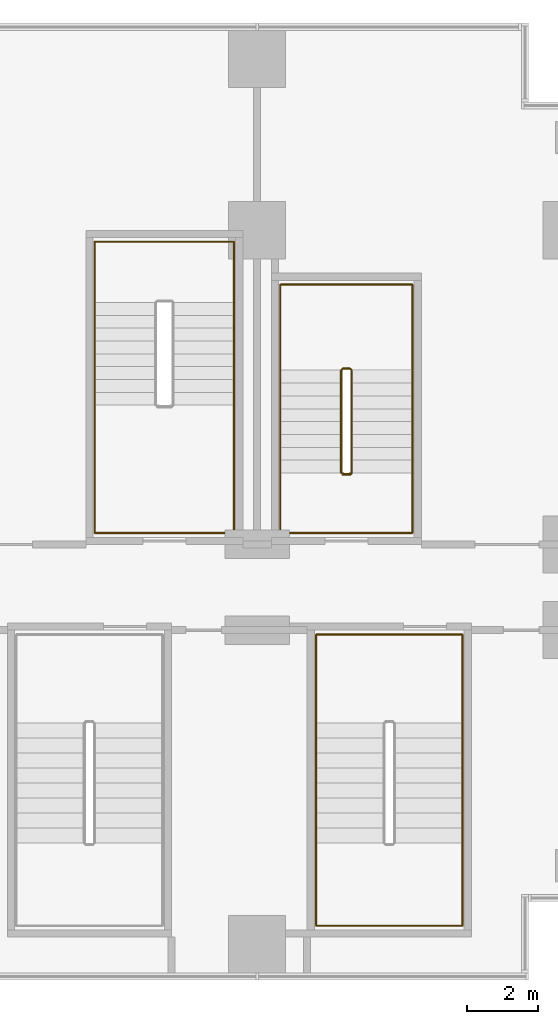
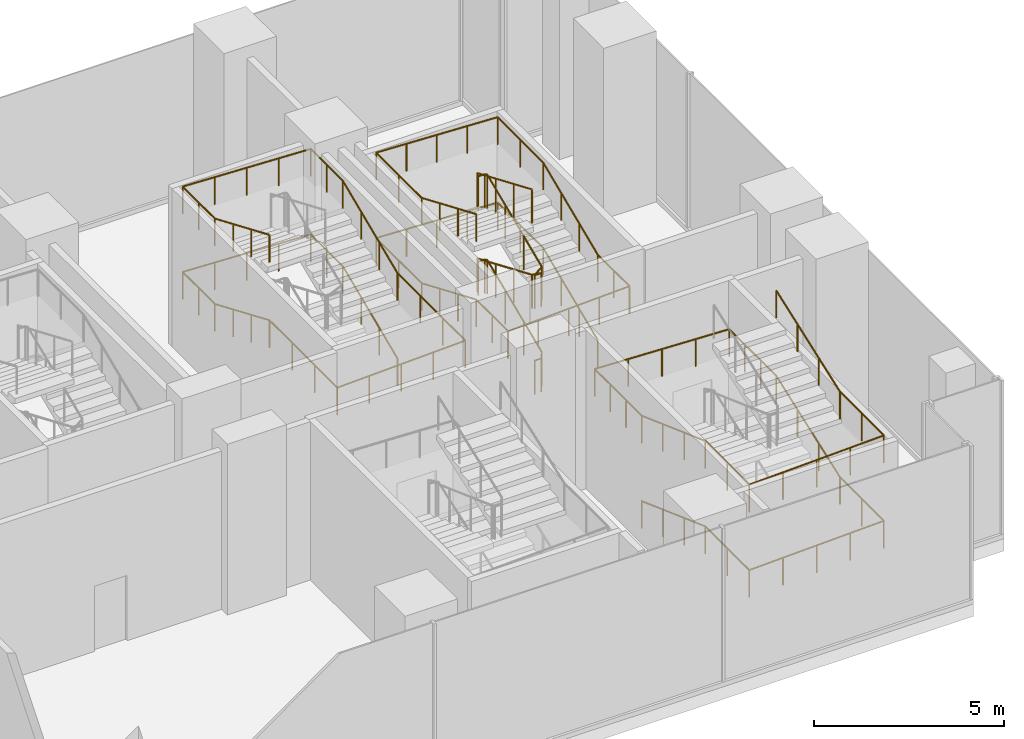
# One storey, part 29 of 30: 4 railings.
"""IFC4 building model written with IfcOpenShell, lengths in metres."""

from ifc_helpers import new_model, si_unit, direction, frame, origin, origin_2d, place, context, subcontext, project, spatial, circle, extrude, material, type_object, element, save


model = new_model("IFC4")

# Units and contexts
model_context = context("Model", 3, precision=1e-05, world=origin(), true_north=direction((0.0, 1.0)))
body_context = subcontext(model_context, "Body", "Model", "MODEL_VIEW")
ifc_project = project(units=[si_unit("LENGTHUNIT", "METRE"), si_unit("AREAUNIT", "SQUARE_METRE"), si_unit("VOLUMEUNIT", "CUBIC_METRE"), si_unit("PLANEANGLEUNIT", "RADIAN"), si_unit("MASSUNIT", "GRAM", prefix="KILO")], contexts=[model_context])

# Site, building, storey
site_placement = place(None, origin())
site = spatial("IfcSite", under=ifc_project, at=site_placement, CompositionType="ELEMENT")
building_placement = place(site_placement, origin())
building = spatial("IfcBuilding", under=site, at=building_placement, Name="Kemantara Hotel Tower", CompositionType="ELEMENT")
storey_placement = place(building_placement, frame((0.0, 0.0, 23.5)))
storey = spatial("IfcBuildingStorey", under=building, at=storey_placement, Name="L04", CompositionType="ELEMENT", Elevation=23.5)

# Railings
ifc_material = material(Name="Stainless steel balustrade", Category="steel")
railing_type_1 = type_object("IfcRailingType", Name="Stair guard 1100 mm", PredefinedType="GUARDRAIL", material=ifc_material)
railing_1_placement = place(storey_placement, frame((73.75, 14.199951171875, 5.5)))
element("IfcRailing", 1, at=railing_1_placement, inside=storey, type_object=railing_type_1, Name="L04 ST5 stair guard 1", PredefinedType="GUARDRAIL", context=body_context, shape_type="SweptSolid", body=[
    extrude(circle(Radius=0.02392578125, at=origin_2d()), frame((0.0, 0.0, 1.076171875), z_axis=(0.0, 0.920547772064, -0.390630003133), x_axis=(-1.0, 0.0, 0.0)), (0.0, 0.0, 1.0), 3.128662109375),
    extrude(circle(Radius=0.02392578125, at=origin_2d()), frame((0.0, 2.880126953125, -0.14599609375), z_axis=(0.297283521722, 0.295833358201, -0.907802363892), x_axis=(-0.705375805398, 0.708833529934, 0.0)), (0.0, 0.0, 1.0), 0.16845703125),
    extrude(circle(Radius=0.02392578125, at=origin_2d()), frame((0.050048828125, 2.929931640625, -0.298828125), z_axis=(1.0, 0.0, 0.0), x_axis=(0.0, 1.0, 0.0)), (0.0, 0.0, 1.0), 0.199951171875),
    extrude(circle(Radius=0.02392578125, at=origin_2d()), frame((0.25, 2.929931640625, -0.298828125), z_axis=(0.708833529934, -0.705375805398, 0.0), x_axis=(0.705375805398, 0.708833529934, 0.0)), (0.0, 0.0, 1.0), 0.070556640625),
    extrude(circle(Radius=0.02392578125, at=origin_2d()), frame((0.300048828125, 2.880126953125, -0.298828125), z_axis=(0.0, -0.920547772064, -0.390630003133), x_axis=(1.0, 0.0, 0.0)), (0.0, 0.0, 1.0), 3.128662109375),
    extrude(circle(Radius=0.02392578125, at=origin_2d()), frame((0.300048828125, 0.0, -1.52099609375), z_axis=(-0.841019323802, -0.168368126347, -0.514138766309), x_axis=(0.196300278283, -0.98054382908, 0.0)), (0.0, 0.0, 1.0), 0.29736328125),
    extrude(circle(Radius=0.02392578125, at=origin_2d()), frame((0.050048828125, -0.050048828125, -1.673828125), z_axis=(1.0, 0.0, 0.0), x_axis=(0.0, 1.0, 0.0)), (0.0, 0.0, 1.0), 0.199951171875),
    extrude(circle(Radius=0.02392578125, at=origin_2d()), frame((0.25, -0.050048828125, -1.673828125), z_axis=(-0.98054382908, 0.196300278283, 0.0), x_axis=(-0.196300278283, -0.98054382908, 0.0)), (0.0, 0.0, 1.0), 0.2548828125),
    extrude(circle(Radius=0.02392578125, at=origin_2d()), frame((0.0, 0.0, -1.673828125), z_axis=(0.0, 0.920547772064, -0.390630003133), x_axis=(-1.0, 0.0, 0.0)), (0.0, 0.0, 1.0), 3.128662109375),
    extrude(circle(Radius=0.02392578125, at=origin_2d()), frame((0.0, 2.880126953125, -2.89599609375), z_axis=(0.297283521722, 0.295833358201, -0.907802363892), x_axis=(-0.705375805398, 0.708833529934, 0.0)), (0.0, 0.0, 1.0), 0.16845703125),
    extrude(circle(Radius=0.02392578125, at=origin_2d()), frame((0.050048828125, 2.929931640625, -3.048828125), z_axis=(1.0, 0.0, 0.0), x_axis=(0.0, 1.0, 0.0)), (0.0, 0.0, 1.0), 0.199951171875),
    extrude(circle(Radius=0.02392578125, at=origin_2d()), frame((0.25, 2.929931640625, -3.048828125), z_axis=(0.708833529934, -0.705375805398, 0.0), x_axis=(0.705375805398, 0.708833529934, 0.0)), (0.0, 0.0, 1.0), 0.070556640625),
    extrude(circle(Radius=0.02392578125, at=origin_2d()), frame((0.300048828125, 2.880126953125, -3.048828125), z_axis=(0.0, -0.920547772064, -0.390630003133), x_axis=(1.0, 0.0, 0.0)), (0.0, 0.0, 1.0), 3.128662109375),
    extrude(circle(Radius=0.02392578125, at=origin_2d()), frame((0.300048828125, 0.0, -4.27099609375), z_axis=(-0.297155754911, -0.297155754911, -0.90741220768), x_axis=(0.707106781187, -0.707106781187, 0.0)), (0.0, 0.0, 1.0), 0.16845703125),
    extrude(circle(Radius=0.02392578125, at=origin_2d()), frame((0.25, -0.050048828125, -4.423828125), z_axis=(-1.0, 0.0, 0.0), x_axis=(0.0, -1.0, 0.0)), (0.0, 0.0, 1.0), 0.199951171875),
    extrude(circle(Radius=0.02099609375, at=origin_2d()), origin(), (0.0, 0.0, 1.0), 1.052001953125),
    extrude(circle(Radius=0.02099609375, at=origin_2d()), frame((0.0, 0.9599609375, -0.407470703125)), (0.0, 0.0, 1.0), 1.052001953125),
    extrude(circle(Radius=0.02099609375, at=origin_2d()), frame((0.0, 1.920166015625, -0.814697265625)), (0.0, 0.0, 1.0), 1.052001953125),
    extrude(circle(Radius=0.02099609375, at=origin_2d()), frame((0.0, 2.880126953125, -1.22216796875)), (0.0, 0.0, 1.0), 1.052001953125),
    extrude(circle(Radius=0.02099609375, at=origin_2d()), frame((0.050048828125, 2.929931640625, -1.375)), (0.0, 0.0, 1.0), 1.052001953125),
    extrude(circle(Radius=0.02099609375, at=origin_2d()), frame((0.25, 2.929931640625, -1.375)), (0.0, 0.0, 1.0), 1.052001953125),
    extrude(circle(Radius=0.02099609375, at=origin_2d()), frame((0.300048828125, 2.880126953125, -1.375)), (0.0, 0.0, 1.0), 1.052001953125),
    extrude(circle(Radius=0.02099609375, at=origin_2d()), frame((0.300048828125, 1.920166015625, -1.782470703125)), (0.0, 0.0, 1.0), 1.052001953125),
    extrude(circle(Radius=0.02099609375, at=origin_2d()), frame((0.300048828125, 0.9599609375, -2.189697265625)), (0.0, 0.0, 1.0), 1.052001953125),
    extrude(circle(Radius=0.02099609375, at=origin_2d()), frame((0.300048828125, 0.0, -2.59716796875)), (0.0, 0.0, 1.0), 1.052001953125),
    extrude(circle(Radius=0.02099609375, at=origin_2d()), frame((0.050048828125, -0.050048828125, -2.75)), (0.0, 0.0, 1.0), 1.052001953125),
    extrude(circle(Radius=0.02099609375, at=origin_2d()), frame((0.25, -0.050048828125, -2.75)), (0.0, 0.0, 1.0), 1.052001953125),
    extrude(circle(Radius=0.02099609375, at=origin_2d()), frame((0.0, 0.0, -2.75)), (0.0, 0.0, 1.0), 1.052001953125),
    extrude(circle(Radius=0.02099609375, at=origin_2d()), frame((0.0, 0.9599609375, -3.157470703125)), (0.0, 0.0, 1.0), 1.052001953125),
    extrude(circle(Radius=0.02099609375, at=origin_2d()), frame((0.0, 1.920166015625, -3.564697265625)), (0.0, 0.0, 1.0), 1.052001953125),
    extrude(circle(Radius=0.02099609375, at=origin_2d()), frame((0.0, 2.880126953125, -3.97216796875)), (0.0, 0.0, 1.0), 1.052001953125),
    extrude(circle(Radius=0.02099609375, at=origin_2d()), frame((0.050048828125, 2.929931640625, -4.125)), (0.0, 0.0, 1.0), 1.052001953125),
    extrude(circle(Radius=0.02099609375, at=origin_2d()), frame((0.25, 2.929931640625, -4.125)), (0.0, 0.0, 1.0), 1.052001953125),
    extrude(circle(Radius=0.02099609375, at=origin_2d()), frame((0.300048828125, 2.880126953125, -4.125)), (0.0, 0.0, 1.0), 1.052001953125),
    extrude(circle(Radius=0.02099609375, at=origin_2d()), frame((0.300048828125, 1.920166015625, -4.532470703125)), (0.0, 0.0, 1.0), 1.052001953125),
    extrude(circle(Radius=0.02099609375, at=origin_2d()), frame((0.300048828125, 0.9599609375, -4.939697265625)), (0.0, 0.0, 1.0), 1.052001953125),
    extrude(circle(Radius=0.02099609375, at=origin_2d()), frame((0.300048828125, 0.0, -5.34716796875)), (0.0, 0.0, 1.0), 1.052001953125),
    extrude(circle(Radius=0.02099609375, at=origin_2d()), frame((0.25, -0.050048828125, -5.5)), (0.0, 0.0, 1.0), 1.052001953125),
    extrude(circle(Radius=0.02099609375, at=origin_2d()), frame((0.050048828125, -0.050048828125, -5.5)), (0.0, 0.0, 1.0), 1.052001953125),
])
railing_type_2 = type_object("IfcRailingType", Name="Stair handrail 900 mm", PredefinedType="HANDRAIL", material=ifc_material)
railing_2_placement = place(storey_placement, frame((75.75, 14.199951171875, 0.15283203125)))
element("IfcRailing", 2, at=railing_2_placement, inside=storey, type_object=railing_type_2, Name="L04 ST5 stair handrail 1", PredefinedType="HANDRAIL", context=body_context, shape_type="SweptSolid", body=[
    extrude(circle(Radius=0.02392578125, at=origin_2d()), frame((0.0, 0.0, 0.8759765625), z_axis=(0.0, 0.920547772064, 0.390630003133), x_axis=(-1.0, 0.0, 0.0)), (0.0, 0.0, 1.0), 3.128662109375),
    extrude(circle(Radius=0.02392578125, at=origin_2d()), frame((0.0, 2.880126953125, 2.09814453125), z_axis=(0.0, 1.0, 0.0), x_axis=(-1.0, 0.0, 0.0)), (0.0, 0.0, 1.0), 2.39990234375),
    extrude(circle(Radius=0.02392578125, at=origin_2d()), frame((0.0, 5.280029296875, 2.09814453125), z_axis=(-0.999147976703, 0.0, 0.041271305405), x_axis=(0.0, -1.0, 0.0)), (0.0, 0.0, 1.0), 3.703125),
    extrude(circle(Radius=0.02392578125, at=origin_2d()), frame((-3.699951171875, 5.280029296875, 2.2509765625), z_axis=(0.0, -1.0, 0.0), x_axis=(1.0, 0.0, 0.0)), (0.0, 0.0, 1.0), 2.39990234375),
    extrude(circle(Radius=0.02392578125, at=origin_2d()), frame((-3.699951171875, 2.880126953125, 2.2509765625), z_axis=(0.0, -0.920547772064, 0.390630003133), x_axis=(1.0, 0.0, 0.0)), (0.0, 0.0, 1.0), 3.128662109375),
    extrude(circle(Radius=0.02392578125, at=origin_2d()), frame((-3.699951171875, 0.0, 3.47314453125), z_axis=(0.0, -1.0, 0.0), x_axis=(1.0, 0.0, 0.0)), (0.0, 0.0, 1.0), 1.679931640625),
    extrude(circle(Radius=0.02392578125, at=origin_2d()), frame((-3.699951171875, -1.679931640625, 3.47314453125), z_axis=(0.999147976703, 0.0, 0.041271305405), x_axis=(0.0, 1.0, 0.0)), (0.0, 0.0, 1.0), 3.703125),
    extrude(circle(Radius=0.02392578125, at=origin_2d()), frame((0.0, -1.679931640625, 3.6259765625), z_axis=(0.0, 1.0, 0.0), x_axis=(-1.0, 0.0, 0.0)), (0.0, 0.0, 1.0), 1.679931640625),
    extrude(circle(Radius=0.02392578125, at=origin_2d()), frame((0.0, 0.0, 3.6259765625), z_axis=(0.0, 0.920547772064, 0.390630003133), x_axis=(-1.0, 0.0, 0.0)), (0.0, 0.0, 1.0), 3.128662109375),
    extrude(circle(Radius=0.02392578125, at=origin_2d()), frame((0.0, 2.880126953125, 4.84814453125), z_axis=(0.0, 1.0, 0.0), x_axis=(-1.0, 0.0, 0.0)), (0.0, 0.0, 1.0), 2.39990234375),
    extrude(circle(Radius=0.02392578125, at=origin_2d()), frame((0.0, 5.280029296875, 4.84814453125), z_axis=(-0.999147976703, 0.0, 0.041271305405), x_axis=(0.0, -1.0, 0.0)), (0.0, 0.0, 1.0), 3.703125),
    extrude(circle(Radius=0.02392578125, at=origin_2d()), frame((-3.699951171875, 5.280029296875, 5.0009765625), z_axis=(0.0, -1.0, 0.0), x_axis=(1.0, 0.0, 0.0)), (0.0, 0.0, 1.0), 2.39990234375),
    extrude(circle(Radius=0.02392578125, at=origin_2d()), frame((-3.699951171875, 2.880126953125, 5.0009765625), z_axis=(0.0, -0.920547772064, 0.390630003133), x_axis=(1.0, 0.0, 0.0)), (0.0, 0.0, 1.0), 3.128662109375),
    extrude(circle(Radius=0.02099609375, at=origin_2d()), origin(), (0.0, 0.0, 1.0), 0.851806640625),
    extrude(circle(Radius=0.02099609375, at=origin_2d()), frame((0.0, 0.9599609375, 0.407470703125)), (0.0, 0.0, 1.0), 0.851806640625),
    extrude(circle(Radius=0.02099609375, at=origin_2d()), frame((0.0, 1.920166015625, 0.814697265625)), (0.0, 0.0, 1.0), 0.851806640625),
    extrude(circle(Radius=0.02099609375, at=origin_2d()), frame((0.0, 2.880126953125, 1.22216796875)), (0.0, 0.0, 1.0), 0.851806640625),
    extrude(circle(Radius=0.02099609375, at=origin_2d()), frame((0.0, 4.080078125, 1.22216796875)), (0.0, 0.0, 1.0), 0.851806640625),
    extrude(circle(Radius=0.02099609375, at=origin_2d()), frame((0.0, 5.280029296875, 1.22216796875)), (0.0, 0.0, 1.0), 0.851806640625),
    extrude(circle(Radius=0.02099609375, at=origin_2d()), frame((-0.925048828125, 5.280029296875, 1.26025390625)), (0.0, 0.0, 1.0), 0.851806640625),
    extrude(circle(Radius=0.02099609375, at=origin_2d()), frame((-1.85009765625, 5.280029296875, 1.298583984375)), (0.0, 0.0, 1.0), 0.851806640625),
    extrude(circle(Radius=0.02099609375, at=origin_2d()), frame((-2.77490234375, 5.280029296875, 1.3369140625)), (0.0, 0.0, 1.0), 0.851806640625),
    extrude(circle(Radius=0.02099609375, at=origin_2d()), frame((-3.699951171875, 5.280029296875, 1.375)), (0.0, 0.0, 1.0), 0.851806640625),
    extrude(circle(Radius=0.02099609375, at=origin_2d()), frame((-3.699951171875, 4.080078125, 1.375)), (0.0, 0.0, 1.0), 0.851806640625),
    extrude(circle(Radius=0.02099609375, at=origin_2d()), frame((-3.699951171875, 2.880126953125, 1.375)), (0.0, 0.0, 1.0), 0.851806640625),
    extrude(circle(Radius=0.02099609375, at=origin_2d()), frame((-3.699951171875, 1.920166015625, 1.782470703125)), (0.0, 0.0, 1.0), 0.851806640625),
    extrude(circle(Radius=0.02099609375, at=origin_2d()), frame((-3.699951171875, 0.9599609375, 2.189697265625)), (0.0, 0.0, 1.0), 0.851806640625),
    extrude(circle(Radius=0.02099609375, at=origin_2d()), frame((-3.699951171875, 0.0, 2.59716796875)), (0.0, 0.0, 1.0), 0.851806640625),
    extrude(circle(Radius=0.02099609375, at=origin_2d()), frame((-3.699951171875, -0.83984375, 2.59716796875)), (0.0, 0.0, 1.0), 0.851806640625),
    extrude(circle(Radius=0.02099609375, at=origin_2d()), frame((-3.699951171875, -1.679931640625, 2.59716796875)), (0.0, 0.0, 1.0), 0.851806640625),
    extrude(circle(Radius=0.02099609375, at=origin_2d()), frame((-2.77490234375, -1.679931640625, 2.63525390625)), (0.0, 0.0, 1.0), 0.851806640625),
    extrude(circle(Radius=0.02099609375, at=origin_2d()), frame((-1.85009765625, -1.679931640625, 2.673583984375)), (0.0, 0.0, 1.0), 0.851806640625),
    extrude(circle(Radius=0.02099609375, at=origin_2d()), frame((-0.925048828125, -1.679931640625, 2.7119140625)), (0.0, 0.0, 1.0), 0.851806640625),
    extrude(circle(Radius=0.02099609375, at=origin_2d()), frame((0.0, -1.679931640625, 2.75)), (0.0, 0.0, 1.0), 0.851806640625),
    extrude(circle(Radius=0.02099609375, at=origin_2d()), frame((0.0, -0.83984375, 2.75)), (0.0, 0.0, 1.0), 0.851806640625),
    extrude(circle(Radius=0.02099609375, at=origin_2d()), frame((0.0, 0.0, 2.75)), (0.0, 0.0, 1.0), 0.851806640625),
    extrude(circle(Radius=0.02099609375, at=origin_2d()), frame((0.0, 0.9599609375, 3.157470703125)), (0.0, 0.0, 1.0), 0.851806640625),
    extrude(circle(Radius=0.02099609375, at=origin_2d()), frame((0.0, 1.920166015625, 3.564697265625)), (0.0, 0.0, 1.0), 0.851806640625),
    extrude(circle(Radius=0.02099609375, at=origin_2d()), frame((0.0, 2.880126953125, 3.97216796875)), (0.0, 0.0, 1.0), 0.851806640625),
    extrude(circle(Radius=0.02099609375, at=origin_2d()), frame((0.0, 4.080078125, 3.97216796875)), (0.0, 0.0, 1.0), 0.851806640625),
    extrude(circle(Radius=0.02099609375, at=origin_2d()), frame((0.0, 5.280029296875, 3.97216796875)), (0.0, 0.0, 1.0), 0.851806640625),
    extrude(circle(Radius=0.02099609375, at=origin_2d()), frame((-0.925048828125, 5.280029296875, 4.01025390625)), (0.0, 0.0, 1.0), 0.851806640625),
    extrude(circle(Radius=0.02099609375, at=origin_2d()), frame((-1.85009765625, 5.280029296875, 4.048583984375)), (0.0, 0.0, 1.0), 0.851806640625),
    extrude(circle(Radius=0.02099609375, at=origin_2d()), frame((-2.77490234375, 5.280029296875, 4.0869140625)), (0.0, 0.0, 1.0), 0.851806640625),
    extrude(circle(Radius=0.02099609375, at=origin_2d()), frame((-3.699951171875, 5.280029296875, 4.125)), (0.0, 0.0, 1.0), 0.851806640625),
    extrude(circle(Radius=0.02099609375, at=origin_2d()), frame((-3.699951171875, 4.080078125, 4.125)), (0.0, 0.0, 1.0), 0.851806640625),
    extrude(circle(Radius=0.02099609375, at=origin_2d()), frame((-3.699951171875, 2.880126953125, 4.125)), (0.0, 0.0, 1.0), 0.851806640625),
    extrude(circle(Radius=0.02099609375, at=origin_2d()), frame((-3.699951171875, 1.920166015625, 4.532470703125)), (0.0, 0.0, 1.0), 0.851806640625),
    extrude(circle(Radius=0.02099609375, at=origin_2d()), frame((-3.699951171875, 0.9599609375, 4.939697265625)), (0.0, 0.0, 1.0), 0.851806640625),
    extrude(circle(Radius=0.02099609375, at=origin_2d()), frame((-3.699951171875, 0.0, 5.34716796875)), (0.0, 0.0, 1.0), 0.851806640625),
])
railing_3_placement = place(storey_placement, frame((70.75, 16.10009765625, 0.15283203125)))
element("IfcRailing", 3, at=railing_3_placement, inside=storey, type_object=railing_type_2, Name="L04 PS1 stair handrail 1", PredefinedType="HANDRAIL", context=body_context, shape_type="SweptSolid", body=[
    extrude(circle(Radius=0.02392578125, at=origin_2d()), frame((0.0, 0.0, 0.8759765625), z_axis=(0.0, 0.920535863683, 0.390658064903), x_axis=(-1.0, 0.0, 0.0)), (0.0, 0.0, 1.0), 3.12841796875),
    extrude(circle(Radius=0.02392578125, at=origin_2d()), frame((0.0, 2.8798828125, 2.09814453125), z_axis=(0.0, 1.0, 0.0), x_axis=(-1.0, 0.0, 0.0)), (0.0, 0.0, 1.0), 1.699951171875),
    extrude(circle(Radius=0.02392578125, at=origin_2d()), frame((0.0, 4.579833984375, 2.09814453125), z_axis=(-0.999233006938, 0.0, 0.039158624161), x_axis=(0.0, -1.0, 0.0)), (0.0, 0.0, 1.0), 3.90283203125),
    extrude(circle(Radius=0.02392578125, at=origin_2d()), frame((-3.89990234375, 4.579833984375, 2.2509765625), z_axis=(0.0, -1.0, 0.0), x_axis=(1.0, 0.0, 0.0)), (0.0, 0.0, 1.0), 1.699951171875),
    extrude(circle(Radius=0.02392578125, at=origin_2d()), frame((-3.89990234375, 2.8798828125, 2.2509765625), z_axis=(0.0, -0.920535863683, 0.390658064903), x_axis=(1.0, 0.0, 0.0)), (0.0, 0.0, 1.0), 3.12841796875),
    extrude(circle(Radius=0.02392578125, at=origin_2d()), frame((-3.89990234375, 0.0, 3.47314453125), z_axis=(0.0, -1.0, 0.0), x_axis=(1.0, 0.0, 0.0)), (0.0, 0.0, 1.0), 3.580078125),
    extrude(circle(Radius=0.02392578125, at=origin_2d()), frame((-3.89990234375, -3.580078125, 3.47314453125), z_axis=(0.999233006938, 0.0, 0.039158624161), x_axis=(0.0, 1.0, 0.0)), (0.0, 0.0, 1.0), 3.90283203125),
    extrude(circle(Radius=0.02392578125, at=origin_2d()), frame((0.0, -3.580078125, 3.6259765625), z_axis=(0.0, 1.0, 0.0), x_axis=(-1.0, 0.0, 0.0)), (0.0, 0.0, 1.0), 3.580078125),
    extrude(circle(Radius=0.02392578125, at=origin_2d()), frame((0.0, 0.0, 3.6259765625), z_axis=(0.0, 0.920535863683, 0.390658064903), x_axis=(-1.0, 0.0, 0.0)), (0.0, 0.0, 1.0), 3.12841796875),
    extrude(circle(Radius=0.02392578125, at=origin_2d()), frame((0.0, 2.8798828125, 4.84814453125), z_axis=(0.0, 1.0, 0.0), x_axis=(-1.0, 0.0, 0.0)), (0.0, 0.0, 1.0), 1.699951171875),
    extrude(circle(Radius=0.02392578125, at=origin_2d()), frame((0.0, 4.579833984375, 4.84814453125), z_axis=(-0.999233006938, 0.0, 0.039158624161), x_axis=(0.0, -1.0, 0.0)), (0.0, 0.0, 1.0), 3.90283203125),
    extrude(circle(Radius=0.02392578125, at=origin_2d()), frame((-3.89990234375, 4.579833984375, 5.0009765625), z_axis=(0.0, -1.0, 0.0), x_axis=(1.0, 0.0, 0.0)), (0.0, 0.0, 1.0), 1.699951171875),
    extrude(circle(Radius=0.02392578125, at=origin_2d()), frame((-3.89990234375, 2.8798828125, 5.0009765625), z_axis=(0.0, -0.920535863683, 0.390658064903), x_axis=(1.0, 0.0, 0.0)), (0.0, 0.0, 1.0), 3.12841796875),
    extrude(circle(Radius=0.02099609375, at=origin_2d()), origin(), (0.0, 0.0, 1.0), 0.851806640625),
    extrude(circle(Radius=0.02099609375, at=origin_2d()), frame((0.0, 0.9599609375, 0.407470703125)), (0.0, 0.0, 1.0), 0.851806640625),
    extrude(circle(Radius=0.02099609375, at=origin_2d()), frame((0.0, 1.919921875, 0.814697265625)), (0.0, 0.0, 1.0), 0.851806640625),
    extrude(circle(Radius=0.02099609375, at=origin_2d()), frame((0.0, 2.8798828125, 1.22216796875)), (0.0, 0.0, 1.0), 0.851806640625),
    extrude(circle(Radius=0.02099609375, at=origin_2d()), frame((0.0, 3.72998046875, 1.22216796875)), (0.0, 0.0, 1.0), 0.851806640625),
    extrude(circle(Radius=0.02099609375, at=origin_2d()), frame((0.0, 4.579833984375, 1.22216796875)), (0.0, 0.0, 1.0), 0.851806640625),
    extrude(circle(Radius=0.02099609375, at=origin_2d()), frame((-0.97509765625, 4.579833984375, 1.26025390625)), (0.0, 0.0, 1.0), 0.851806640625),
    extrude(circle(Radius=0.02099609375, at=origin_2d()), frame((-1.949951171875, 4.579833984375, 1.298583984375)), (0.0, 0.0, 1.0), 0.851806640625),
    extrude(circle(Radius=0.02099609375, at=origin_2d()), frame((-2.9248046875, 4.579833984375, 1.3369140625)), (0.0, 0.0, 1.0), 0.851806640625),
    extrude(circle(Radius=0.02099609375, at=origin_2d()), frame((-3.89990234375, 4.579833984375, 1.375)), (0.0, 0.0, 1.0), 0.851806640625),
    extrude(circle(Radius=0.02099609375, at=origin_2d()), frame((-3.89990234375, 3.72998046875, 1.375)), (0.0, 0.0, 1.0), 0.851806640625),
    extrude(circle(Radius=0.02099609375, at=origin_2d()), frame((-3.89990234375, 2.8798828125, 1.375)), (0.0, 0.0, 1.0), 0.851806640625),
    extrude(circle(Radius=0.02099609375, at=origin_2d()), frame((-3.89990234375, 1.919921875, 1.782470703125)), (0.0, 0.0, 1.0), 0.851806640625),
    extrude(circle(Radius=0.02099609375, at=origin_2d()), frame((-3.89990234375, 0.9599609375, 2.189697265625)), (0.0, 0.0, 1.0), 0.851806640625),
    extrude(circle(Radius=0.02099609375, at=origin_2d()), frame((-3.89990234375, 0.0, 2.59716796875)), (0.0, 0.0, 1.0), 0.851806640625),
    extrude(circle(Radius=0.02099609375, at=origin_2d()), frame((-3.89990234375, -1.193359375, 2.59716796875)), (0.0, 0.0, 1.0), 0.851806640625),
    extrude(circle(Radius=0.02099609375, at=origin_2d()), frame((-3.89990234375, -2.38671875, 2.59716796875)), (0.0, 0.0, 1.0), 0.851806640625),
    extrude(circle(Radius=0.02099609375, at=origin_2d()), frame((-3.89990234375, -3.580078125, 2.59716796875)), (0.0, 0.0, 1.0), 0.851806640625),
    extrude(circle(Radius=0.02099609375, at=origin_2d()), frame((-2.9248046875, -3.580078125, 2.63525390625)), (0.0, 0.0, 1.0), 0.851806640625),
    extrude(circle(Radius=0.02099609375, at=origin_2d()), frame((-1.949951171875, -3.580078125, 2.673583984375)), (0.0, 0.0, 1.0), 0.851806640625),
    extrude(circle(Radius=0.02099609375, at=origin_2d()), frame((-0.97509765625, -3.580078125, 2.7119140625)), (0.0, 0.0, 1.0), 0.851806640625),
    extrude(circle(Radius=0.02099609375, at=origin_2d()), frame((0.0, -3.580078125, 2.75)), (0.0, 0.0, 1.0), 0.851806640625),
    extrude(circle(Radius=0.02099609375, at=origin_2d()), frame((0.0, -2.38671875, 2.75)), (0.0, 0.0, 1.0), 0.851806640625),
    extrude(circle(Radius=0.02099609375, at=origin_2d()), frame((0.0, -1.193359375, 2.75)), (0.0, 0.0, 1.0), 0.851806640625),
    extrude(circle(Radius=0.02099609375, at=origin_2d()), frame((0.0, 0.0, 2.75)), (0.0, 0.0, 1.0), 0.851806640625),
    extrude(circle(Radius=0.02099609375, at=origin_2d()), frame((0.0, 0.9599609375, 3.157470703125)), (0.0, 0.0, 1.0), 0.851806640625),
    extrude(circle(Radius=0.02099609375, at=origin_2d()), frame((0.0, 1.919921875, 3.564697265625)), (0.0, 0.0, 1.0), 0.851806640625),
    extrude(circle(Radius=0.02099609375, at=origin_2d()), frame((0.0, 2.8798828125, 3.97216796875)), (0.0, 0.0, 1.0), 0.851806640625),
    extrude(circle(Radius=0.02099609375, at=origin_2d()), frame((0.0, 3.72998046875, 3.97216796875)), (0.0, 0.0, 1.0), 0.851806640625),
    extrude(circle(Radius=0.02099609375, at=origin_2d()), frame((0.0, 4.579833984375, 3.97216796875)), (0.0, 0.0, 1.0), 0.851806640625),
    extrude(circle(Radius=0.02099609375, at=origin_2d()), frame((-0.97509765625, 4.579833984375, 4.01025390625)), (0.0, 0.0, 1.0), 0.851806640625),
    extrude(circle(Radius=0.02099609375, at=origin_2d()), frame((-1.949951171875, 4.579833984375, 4.048583984375)), (0.0, 0.0, 1.0), 0.851806640625),
    extrude(circle(Radius=0.02099609375, at=origin_2d()), frame((-2.9248046875, 4.579833984375, 4.0869140625)), (0.0, 0.0, 1.0), 0.851806640625),
    extrude(circle(Radius=0.02099609375, at=origin_2d()), frame((-3.89990234375, 4.579833984375, 4.125)), (0.0, 0.0, 1.0), 0.851806640625),
    extrude(circle(Radius=0.02099609375, at=origin_2d()), frame((-3.89990234375, 3.72998046875, 4.125)), (0.0, 0.0, 1.0), 0.851806640625),
    extrude(circle(Radius=0.02099609375, at=origin_2d()), frame((-3.89990234375, 2.8798828125, 4.125)), (0.0, 0.0, 1.0), 0.851806640625),
    extrude(circle(Radius=0.02099609375, at=origin_2d()), frame((-3.89990234375, 1.919921875, 4.532470703125)), (0.0, 0.0, 1.0), 0.851806640625),
    extrude(circle(Radius=0.02099609375, at=origin_2d()), frame((-3.89990234375, 0.9599609375, 4.939697265625)), (0.0, 0.0, 1.0), 0.851806640625),
    extrude(circle(Radius=0.02099609375, at=origin_2d()), frame((-3.89990234375, 0.0, 5.34716796875)), (0.0, 0.0, 1.0), 0.851806640625),
])
railing_4_placement = place(storey_placement, frame((73.050048828125, 7.199951171875, 0.15283203125)))
element("IfcRailing", 4, at=railing_4_placement, inside=storey, type_object=railing_type_2, Name="L04 PS5 stair handrail 1", PredefinedType="HANDRAIL", context=body_context, shape_type="SweptSolid", body=[
    extrude(circle(Radius=0.02392578125, at=origin_2d()), frame((0.0, 0.0, 0.8759765625), z_axis=(0.0, -0.93975753056, 0.341841752506), x_axis=(1.0, 0.0, 0.0)), (0.0, 0.0, 1.0), 3.5751953125),
    extrude(circle(Radius=0.02392578125, at=origin_2d()), frame((0.0, -3.35986328125, 2.09814453125), z_axis=(0.0, -1.0, 0.0), x_axis=(1.0, 0.0, 0.0)), (0.0, 0.0, 1.0), 2.320068359375),
    extrude(circle(Radius=0.02392578125, at=origin_2d()), frame((0.0, -5.679931640625, 2.09814453125), z_axis=(0.999305919635, 0.0, 0.03725156349), x_axis=(0.0, 1.0, 0.0)), (0.0, 0.0, 1.0), 4.102783203125),
    extrude(circle(Radius=0.02392578125, at=origin_2d()), frame((4.099853515625, -5.679931640625, 2.2509765625), z_axis=(0.0, 1.0, 0.0), x_axis=(-1.0, 0.0, 0.0)), (0.0, 0.0, 1.0), 2.320068359375),
    extrude(circle(Radius=0.02392578125, at=origin_2d()), frame((4.099853515625, -3.35986328125, 2.2509765625), z_axis=(0.0, 0.93975753056, 0.341841752506), x_axis=(-1.0, 0.0, 0.0)), (0.0, 0.0, 1.0), 3.5751953125),
    extrude(circle(Radius=0.02392578125, at=origin_2d()), frame((4.099853515625, 0.0, 3.47314453125), z_axis=(0.0, 1.0, 0.0), x_axis=(-1.0, 0.0, 0.0)), (0.0, 0.0, 1.0), 2.47998046875),
    extrude(circle(Radius=0.02392578125, at=origin_2d()), frame((4.099853515625, 2.47998046875, 3.47314453125), z_axis=(-0.999305919635, 0.0, 0.03725156349), x_axis=(0.0, -1.0, 0.0)), (0.0, 0.0, 1.0), 4.102783203125),
    extrude(circle(Radius=0.02392578125, at=origin_2d()), frame((0.0, 2.47998046875, 3.6259765625), z_axis=(0.0, -1.0, 0.0), x_axis=(1.0, 0.0, 0.0)), (0.0, 0.0, 1.0), 2.47998046875),
    extrude(circle(Radius=0.02392578125, at=origin_2d()), frame((0.0, 0.0, 3.6259765625), z_axis=(0.0, -0.93975753056, 0.341841752506), x_axis=(1.0, 0.0, 0.0)), (0.0, 0.0, 1.0), 3.5751953125),
    extrude(circle(Radius=0.02392578125, at=origin_2d()), frame((0.0, -3.35986328125, 4.84814453125), z_axis=(0.0, -1.0, 0.0), x_axis=(1.0, 0.0, 0.0)), (0.0, 0.0, 1.0), 2.320068359375),
    extrude(circle(Radius=0.02392578125, at=origin_2d()), frame((0.0, -5.679931640625, 4.84814453125), z_axis=(0.999305919635, 0.0, 0.03725156349), x_axis=(0.0, 1.0, 0.0)), (0.0, 0.0, 1.0), 4.102783203125),
    extrude(circle(Radius=0.02392578125, at=origin_2d()), frame((4.099853515625, -5.679931640625, 5.0009765625), z_axis=(0.0, 1.0, 0.0), x_axis=(-1.0, 0.0, 0.0)), (0.0, 0.0, 1.0), 2.320068359375),
    extrude(circle(Radius=0.02392578125, at=origin_2d()), frame((4.099853515625, -3.35986328125, 5.0009765625), z_axis=(0.0, 0.93975753056, 0.341841752506), x_axis=(-1.0, 0.0, 0.0)), (0.0, 0.0, 1.0), 3.5751953125),
    extrude(circle(Radius=0.02099609375, at=origin_2d()), origin(), (0.0, 0.0, 1.0), 0.851806640625),
    extrude(circle(Radius=0.02099609375, at=origin_2d()), frame((0.0, -1.119873046875, 0.407470703125)), (0.0, 0.0, 1.0), 0.851806640625),
    extrude(circle(Radius=0.02099609375, at=origin_2d()), frame((0.0, -2.239990234375, 0.814697265625)), (0.0, 0.0, 1.0), 0.851806640625),
    extrude(circle(Radius=0.02099609375, at=origin_2d()), frame((0.0, -3.35986328125, 1.22216796875)), (0.0, 0.0, 1.0), 0.851806640625),
    extrude(circle(Radius=0.02099609375, at=origin_2d()), frame((0.0, -4.52001953125, 1.22216796875)), (0.0, 0.0, 1.0), 0.851806640625),
    extrude(circle(Radius=0.02099609375, at=origin_2d()), frame((0.0, -5.679931640625, 1.22216796875)), (0.0, 0.0, 1.0), 0.851806640625),
    extrude(circle(Radius=0.02099609375, at=origin_2d()), frame((1.02490234375, -5.679931640625, 1.26025390625)), (0.0, 0.0, 1.0), 0.851806640625),
    extrude(circle(Radius=0.02099609375, at=origin_2d()), frame((2.0498046875, -5.679931640625, 1.298583984375)), (0.0, 0.0, 1.0), 0.851806640625),
    extrude(circle(Radius=0.02099609375, at=origin_2d()), frame((3.074951171875, -5.679931640625, 1.3369140625)), (0.0, 0.0, 1.0), 0.851806640625),
    extrude(circle(Radius=0.02099609375, at=origin_2d()), frame((4.099853515625, -5.679931640625, 1.375)), (0.0, 0.0, 1.0), 0.851806640625),
    extrude(circle(Radius=0.02099609375, at=origin_2d()), frame((4.099853515625, -4.52001953125, 1.375)), (0.0, 0.0, 1.0), 0.851806640625),
    extrude(circle(Radius=0.02099609375, at=origin_2d()), frame((4.099853515625, -3.35986328125, 1.375)), (0.0, 0.0, 1.0), 0.851806640625),
    extrude(circle(Radius=0.02099609375, at=origin_2d()), frame((4.099853515625, -2.239990234375, 1.782470703125)), (0.0, 0.0, 1.0), 0.851806640625),
    extrude(circle(Radius=0.02099609375, at=origin_2d()), frame((4.099853515625, -1.119873046875, 2.189697265625)), (0.0, 0.0, 1.0), 0.851806640625),
    extrude(circle(Radius=0.02099609375, at=origin_2d()), frame((4.099853515625, 0.0, 2.59716796875)), (0.0, 0.0, 1.0), 0.851806640625),
    extrude(circle(Radius=0.02099609375, at=origin_2d()), frame((4.099853515625, 0.82666015625, 2.59716796875)), (0.0, 0.0, 1.0), 0.851806640625),
    extrude(circle(Radius=0.02099609375, at=origin_2d()), frame((4.099853515625, 1.6533203125, 2.59716796875)), (0.0, 0.0, 1.0), 0.851806640625),
    extrude(circle(Radius=0.02099609375, at=origin_2d()), frame((4.099853515625, 2.47998046875, 2.59716796875)), (0.0, 0.0, 1.0), 0.851806640625),
    extrude(circle(Radius=0.02099609375, at=origin_2d()), frame((3.074951171875, 2.47998046875, 2.63525390625)), (0.0, 0.0, 1.0), 0.851806640625),
    extrude(circle(Radius=0.02099609375, at=origin_2d()), frame((2.0498046875, 2.47998046875, 2.673583984375)), (0.0, 0.0, 1.0), 0.851806640625),
    extrude(circle(Radius=0.02099609375, at=origin_2d()), frame((1.02490234375, 2.47998046875, 2.7119140625)), (0.0, 0.0, 1.0), 0.851806640625),
    extrude(circle(Radius=0.02099609375, at=origin_2d()), frame((0.0, 2.47998046875, 2.75)), (0.0, 0.0, 1.0), 0.851806640625),
    extrude(circle(Radius=0.02099609375, at=origin_2d()), frame((0.0, 1.6533203125, 2.75)), (0.0, 0.0, 1.0), 0.851806640625),
    extrude(circle(Radius=0.02099609375, at=origin_2d()), frame((0.0, 0.82666015625, 2.75)), (0.0, 0.0, 1.0), 0.851806640625),
    extrude(circle(Radius=0.02099609375, at=origin_2d()), frame((0.0, 0.0, 2.75)), (0.0, 0.0, 1.0), 0.851806640625),
    extrude(circle(Radius=0.02099609375, at=origin_2d()), frame((0.0, -1.119873046875, 3.157470703125)), (0.0, 0.0, 1.0), 0.851806640625),
    extrude(circle(Radius=0.02099609375, at=origin_2d()), frame((0.0, -2.239990234375, 3.564697265625)), (0.0, 0.0, 1.0), 0.851806640625),
    extrude(circle(Radius=0.02099609375, at=origin_2d()), frame((0.0, -3.35986328125, 3.97216796875)), (0.0, 0.0, 1.0), 0.851806640625),
    extrude(circle(Radius=0.02099609375, at=origin_2d()), frame((0.0, -4.52001953125, 3.97216796875)), (0.0, 0.0, 1.0), 0.851806640625),
    extrude(circle(Radius=0.02099609375, at=origin_2d()), frame((0.0, -5.679931640625, 3.97216796875)), (0.0, 0.0, 1.0), 0.851806640625),
    extrude(circle(Radius=0.02099609375, at=origin_2d()), frame((1.02490234375, -5.679931640625, 4.01025390625)), (0.0, 0.0, 1.0), 0.851806640625),
    extrude(circle(Radius=0.02099609375, at=origin_2d()), frame((2.0498046875, -5.679931640625, 4.048583984375)), (0.0, 0.0, 1.0), 0.851806640625),
    extrude(circle(Radius=0.02099609375, at=origin_2d()), frame((3.074951171875, -5.679931640625, 4.0869140625)), (0.0, 0.0, 1.0), 0.851806640625),
    extrude(circle(Radius=0.02099609375, at=origin_2d()), frame((4.099853515625, -5.679931640625, 4.125)), (0.0, 0.0, 1.0), 0.851806640625),
    extrude(circle(Radius=0.02099609375, at=origin_2d()), frame((4.099853515625, -4.52001953125, 4.125)), (0.0, 0.0, 1.0), 0.851806640625),
    extrude(circle(Radius=0.02099609375, at=origin_2d()), frame((4.099853515625, -3.35986328125, 4.125)), (0.0, 0.0, 1.0), 0.851806640625),
    extrude(circle(Radius=0.02099609375, at=origin_2d()), frame((4.099853515625, -2.239990234375, 4.532470703125)), (0.0, 0.0, 1.0), 0.851806640625),
    extrude(circle(Radius=0.02099609375, at=origin_2d()), frame((4.099853515625, -1.119873046875, 4.939697265625)), (0.0, 0.0, 1.0), 0.851806640625),
    extrude(circle(Radius=0.02099609375, at=origin_2d()), frame((4.099853515625, 0.0, 5.34716796875)), (0.0, 0.0, 1.0), 0.851806640625),
])

save(model, "model.ifc")
